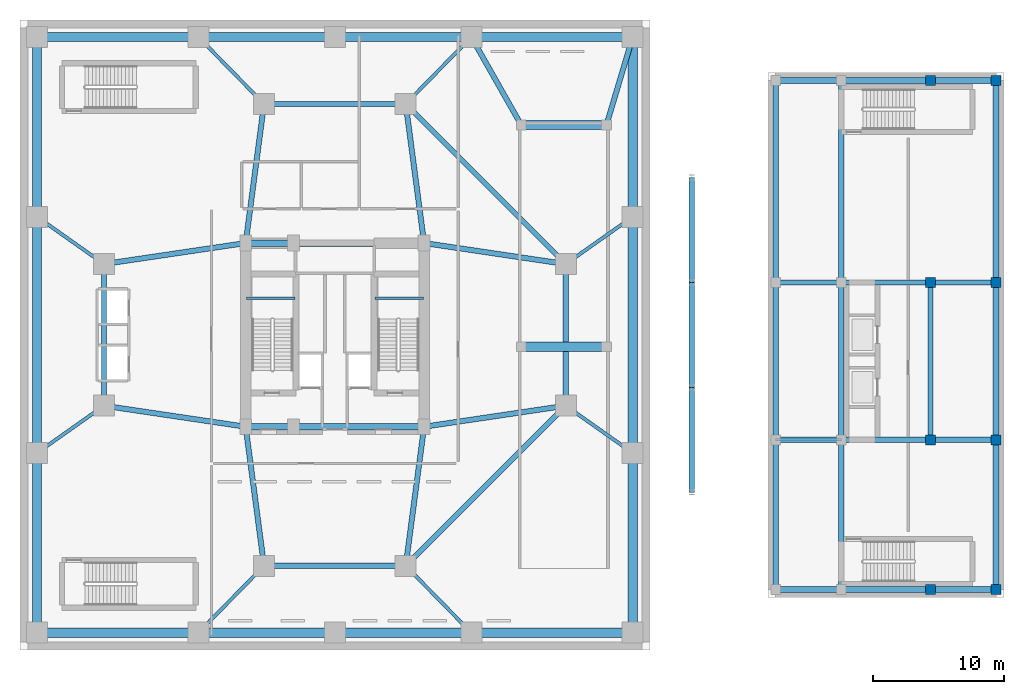
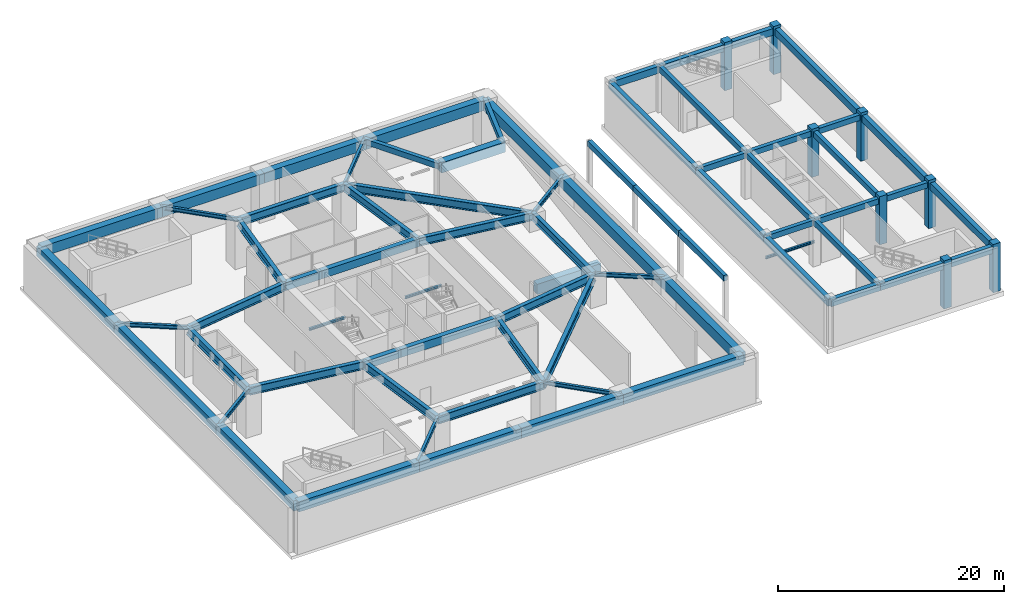
# One storey, part 3 of 13: 72 beams, 8 columns.
"""IFC4 building model written with IfcOpenShell, lengths in metres."""

from ifc_helpers import new_model, si_unit, direction, frame, origin, origin_2d, place, context, subcontext, project, spatial, rectangle, i_section, extrude, material, material_profile, profile_set, type_object, element, save


model = new_model("IFC4")

# Units and contexts
model_context = context("Model", 3, precision=1e-05, world=origin(), true_north=direction((0.0, 1.0)))
body_context = subcontext(model_context, "Body", "Model", "MODEL_VIEW")
ifc_project = project(units=[si_unit("LENGTHUNIT", "METRE"), si_unit("AREAUNIT", "SQUARE_METRE"), si_unit("VOLUMEUNIT", "CUBIC_METRE"), si_unit("PLANEANGLEUNIT", "RADIAN"), si_unit("MASSUNIT", "GRAM", prefix="KILO")], contexts=[model_context])

# Site, building, storey
site_placement = place(None, origin())
site = spatial("IfcSite", under=ifc_project, at=site_placement, CompositionType="ELEMENT")
building_placement = place(site_placement, origin())
building = spatial("IfcBuilding", under=site, at=building_placement, Name="Veraguas Prism Commons", CompositionType="ELEMENT")
storey_placement = place(building_placement, frame((0.0, 0.0, -5.199951171875)))
storey = spatial("IfcBuildingStorey", under=building, at=storey_placement, Name="B1", CompositionType="ELEMENT", Elevation=-5.199951171875)

# Columns
ifc_material_1 = material(Name="Concrete C50/60", Category="concrete")
ifc_material_profile_1 = material_profile(ifc_material_1, rectangle(XDim=0.75, YDim=0.75, at=origin_2d()), Name="RC750X750")
ifc_profile_set_1 = profile_set([ifc_material_profile_1], Name="Concrete C50/60")
column_type = type_object("IfcColumnType", Name="Column Clinic RC 750x750", PredefinedType="COLUMN", material=ifc_profile_set_1)
for number, where, z_axis, x_axis, name in (
    (1, (69.39990234375, 4.60009765625, 0.0), (0.0, 0.0, 1.0), (1.0, 0.0, 0.0), "Health Centre Column B1-HC09"),
    (2, (69.39990234375, 16.0, 0.0), (0.0, 0.0, 1.0), (1.0, 0.0, 0.0), "Health Centre Column B1-HC10"),
    (3, (69.39990234375, 28.0, 0.0), (0.0, 0.0, 1.0), (1.0, 0.0, 0.0), "Health Centre Column B1-HC11"),
    (4, (69.39990234375, 43.39990234375, 0.0), (0.0, 0.0, 1.0), (1.0, 0.0, 0.0), "Health Centre Column B1-HC12"),
    (5, (74.39990234375, 4.60009765625, 0.0), (0.0, 0.0, 1.0), (1.0, 0.0, 0.0), "Health Centre Column B1-HC13"),
    (6, (74.39990234375, 16.0, 0.0), (0.0, 0.0, 1.0), (1.0, 0.0, 0.0), "Health Centre Column B1-HC14"),
    (7, (74.39990234375, 28.0, 0.0), (0.0, 0.0, 1.0), (1.0, 0.0, 0.0), "Health Centre Column B1-HC15"),
    (8, (74.39990234375, 43.39990234375, 0.0), (0.0, 0.0, 1.0), (1.0, 0.0, 0.0), "Health Centre Column B1-HC16"),
):
    element("IfcColumn", number, at=place(storey_placement, frame(where, z_axis=z_axis, x_axis=x_axis)), inside=storey, type_object=column_type, Name=name, PredefinedType="COLUMN", context=body_context, shape_type="SweptSolid", body=[
        extrude(rectangle(XDim=0.75, YDim=0.75, at=origin_2d()), origin(), (0.0, 0.0, 1.0), 5.199951171875),
    ])

# Beams
ifc_material_profile_2 = material_profile(ifc_material_1, rectangle(XDim=0.39990234375, YDim=0.60009765625, at=origin_2d()), Name="RC400X600")
ifc_profile_set_2 = profile_set([ifc_material_profile_2], Name="Concrete C50/60")
beam_type_1 = type_object("IfcBeamType", Name="Clinic Secondary Beam RC 400x600", PredefinedType="BEAM", material=ifc_profile_set_2)
beam_1_placement = place(storey_placement, frame((38.199951171875, 40.0, 4.599853515625), z_axis=(-0.493347622228, 0.869832238792, 0.0), x_axis=(-0.869832238792, -0.493347622228, 0.0)))
element("IfcBeam", 9, at=beam_1_placement, inside=storey, type_object=beam_type_1, Name="Ramp Tie Beam West B1", PredefinedType="BEAM", context=body_context, shape_type="SweptSolid", body=[
    extrude(rectangle(XDim=0.39990234375, YDim=0.60009765625, at=origin_2d()), origin(), (0.0, 0.0, 1.0), 7.70263671875),
])
beam_2_placement = place(storey_placement, frame((44.699951171875, 40.0, 4.599853515625), z_axis=(0.286037440413, 0.958218442048, 0.0), x_axis=(-0.958218442048, 0.286037440413, 0.0)))
element("IfcBeam", 10, at=beam_2_placement, inside=storey, type_object=beam_type_1, Name="Ramp Tie Beam East B1", PredefinedType="BEAM", context=body_context, shape_type="SweptSolid", body=[
    extrude(rectangle(XDim=0.39990234375, YDim=0.60009765625, at=origin_2d()), origin(), (0.0, 0.0, 1.0), 6.9921875),
])
for number, where, z_axis, x_axis, name in (
    (11, (51.199951171875, 12.0, 4.89990234375), (0.0, 1.0, 0.0), (-1.0, 0.0, 0.0), "Substructure Tie Beam B1-CNB01"),
    (12, (51.199951171875, 20.0, 4.89990234375), (0.0, 1.0, 0.0), (-1.0, 0.0, 0.0), "Substructure Tie Beam B1-CNB02"),
    (13, (51.199951171875, 28.0, 4.89990234375), (0.0, 1.0, 0.0), (-1.0, 0.0, 0.0), "Substructure Tie Beam B1-CNB03"),
):
    element("IfcBeam", number, at=place(storey_placement, frame(where, z_axis=z_axis, x_axis=x_axis)), inside=storey, type_object=beam_type_1, Name=name, PredefinedType="BEAM", context=body_context, shape_type="SweptSolid", body=[
        extrude(rectangle(XDim=0.39990234375, YDim=0.60009765625, at=origin_2d()), origin(), (0.0, 0.0, 1.0), 8.0),
    ])
beam_3_placement = place(storey_placement, frame((57.60009765625, 16.0, 4.599853515625), z_axis=(1.0, 0.0, 0.0), x_axis=(0.0, 1.0, 0.0)))
element("IfcBeam", 14, at=beam_3_placement, inside=storey, type_object=beam_type_1, Name="Health Centre Beam B1-HCX04", PredefinedType="BEAM", context=body_context, shape_type="SweptSolid", body=[
    extrude(rectangle(XDim=0.39990234375, YDim=0.60009765625, at=origin_2d()), origin(), (0.0, 0.0, 1.0), 5.0),
])
beam_4_placement = place(storey_placement, frame((62.60009765625, 16.0, 4.599853515625), z_axis=(1.0, 0.0, 0.0), x_axis=(0.0, 1.0, 0.0)))
element("IfcBeam", 15, at=beam_4_placement, inside=storey, type_object=beam_type_1, Name="Health Centre Beam B1-HCX05", PredefinedType="BEAM", context=body_context, shape_type="SweptSolid", body=[
    extrude(rectangle(XDim=0.39990234375, YDim=0.60009765625, at=origin_2d()), origin(), (0.0, 0.0, 1.0), 6.7998046875),
])
for number, where, z_axis, x_axis, name in (
    (16, (69.39990234375, 16.0, 4.599853515625), (1.0, 0.0, 0.0), (0.0, 1.0, 0.0), "Health Centre Beam B1-HCX06"),
    (17, (57.60009765625, 28.0, 4.599853515625), (1.0, 0.0, 0.0), (0.0, 1.0, 0.0), "Health Centre Beam B1-HCX07"),
):
    element("IfcBeam", number, at=place(storey_placement, frame(where, z_axis=z_axis, x_axis=x_axis)), inside=storey, type_object=beam_type_1, Name=name, PredefinedType="BEAM", context=body_context, shape_type="SweptSolid", body=[
        extrude(rectangle(XDim=0.39990234375, YDim=0.60009765625, at=origin_2d()), origin(), (0.0, 0.0, 1.0), 5.0),
    ])
beam_5_placement = place(storey_placement, frame((62.60009765625, 28.0, 4.599853515625), z_axis=(1.0, 0.0, 0.0), x_axis=(0.0, 1.0, 0.0)))
element("IfcBeam", 18, at=beam_5_placement, inside=storey, type_object=beam_type_1, Name="Health Centre Beam B1-HCX08", PredefinedType="BEAM", context=body_context, shape_type="SweptSolid", body=[
    extrude(rectangle(XDim=0.39990234375, YDim=0.60009765625, at=origin_2d()), origin(), (0.0, 0.0, 1.0), 6.7998046875),
])
beam_6_placement = place(storey_placement, frame((69.39990234375, 28.0, 4.599853515625), z_axis=(1.0, 0.0, 0.0), x_axis=(0.0, 1.0, 0.0)))
element("IfcBeam", 19, at=beam_6_placement, inside=storey, type_object=beam_type_1, Name="Health Centre Beam B1-HCX09", PredefinedType="BEAM", context=body_context, shape_type="SweptSolid", body=[
    extrude(rectangle(XDim=0.39990234375, YDim=0.60009765625, at=origin_2d()), origin(), (0.0, 0.0, 1.0), 5.0),
])
beam_7_placement = place(storey_placement, frame((62.60009765625, 4.60009765625, 4.599853515625), z_axis=(0.0, 1.0, 0.0), x_axis=(-1.0, 0.0, 0.0)))
element("IfcBeam", 20, at=beam_7_placement, inside=storey, type_object=beam_type_1, Name="Health Centre Beam B1-HCY16", PredefinedType="BEAM", context=body_context, shape_type="SweptSolid", body=[
    extrude(rectangle(XDim=0.39990234375, YDim=0.60009765625, at=origin_2d()), origin(), (0.0, 0.0, 1.0), 11.39990234375),
])
beam_8_placement = place(storey_placement, frame((62.60009765625, 16.0, 4.599853515625), z_axis=(0.0, 1.0, 0.0), x_axis=(-1.0, 0.0, 0.0)))
element("IfcBeam", 21, at=beam_8_placement, inside=storey, type_object=beam_type_1, Name="Health Centre Beam B1-HCY17", PredefinedType="BEAM", context=body_context, shape_type="SweptSolid", body=[
    extrude(rectangle(XDim=0.39990234375, YDim=0.60009765625, at=origin_2d()), origin(), (0.0, 0.0, 1.0), 12.0),
])
beam_9_placement = place(storey_placement, frame((62.60009765625, 28.0, 4.599853515625), z_axis=(0.0, 1.0, 0.0), x_axis=(-1.0, 0.0, 0.0)))
element("IfcBeam", 22, at=beam_9_placement, inside=storey, type_object=beam_type_1, Name="Health Centre Beam B1-HCY18", PredefinedType="BEAM", context=body_context, shape_type="SweptSolid", body=[
    extrude(rectangle(XDim=0.39990234375, YDim=0.60009765625, at=origin_2d()), origin(), (0.0, 0.0, 1.0), 15.39990234375),
])
beam_10_placement = place(storey_placement, frame((69.39990234375, 16.0, 4.599853515625), z_axis=(0.0, 1.0, 0.0), x_axis=(-1.0, 0.0, 0.0)))
element("IfcBeam", 23, at=beam_10_placement, inside=storey, type_object=beam_type_1, Name="Health Centre Beam B1-HCY20", PredefinedType="BEAM", context=body_context, shape_type="SweptSolid", body=[
    extrude(rectangle(XDim=0.39990234375, YDim=0.60009765625, at=origin_2d()), origin(), (0.0, 0.0, 1.0), 12.0),
])
ifc_material_2 = material(Name="Steel ASTM A992 Grade 50", Category="steel")
ifc_material_profile_3 = material_profile(ifc_material_2, i_section(OverallWidth=0.403076171875, OverallDepth=0.867919921875, WebThickness=0.02099609375, FlangeThickness=0.03564453125, at=origin_2d()), Name="W840X359")
ifc_profile_set_3 = profile_set([ifc_material_profile_3], Name="Steel ASTM A992 Grade 50")
beam_type_2 = type_object("IfcBeamType", Name="Concourse Primary Girder W840x359", PredefinedType="BEAM", material=ifc_profile_set_3)
for number, where, z_axis, x_axis, name in (
    (24, (41.60009765625, 18.60009765625, 4.466064453125), (-0.989202261707, -0.146556765224, 0.0), (0.146556765224, -0.989202261707, 0.0), "Concourse Radial Girder B1-TMR01"),
    (25, (41.60009765625, 29.39990234375, 4.466064453125), (-0.989202261707, 0.146556765224, 0.0), (-0.146556765224, -0.989202261707, 0.0), "Concourse Radial Girder B1-TMR02"),
):
    element("IfcBeam", number, at=place(storey_placement, frame(where, z_axis=z_axis, x_axis=x_axis)), inside=storey, type_object=beam_type_2, Name=name, PredefinedType="BEAM", context=body_context, shape_type="SweptSolid", body=[
        extrude(i_section(OverallWidth=0.403076171875, OverallDepth=0.867919921875, WebThickness=0.02099609375, FlangeThickness=0.03564453125, at=origin_2d()), origin(), (0.0, 0.0, 1.0), 10.91796875),
    ])
for number, where, z_axis, x_axis, name in (
    (26, (29.39990234375, 41.60009765625, 4.466064453125), (0.130950648891, -0.991388888154, 0.0), (0.991388888154, 0.130950648891, 0.0), "Concourse Radial Girder B1-TMR03"),
    (27, (18.60009765625, 41.60009765625, 4.466064453125), (-0.130950648891, -0.991388888154, 0.0), (0.991388888154, -0.130950648891, 0.0), "Concourse Radial Girder B1-TMR04"),
):
    element("IfcBeam", number, at=place(storey_placement, frame(where, z_axis=z_axis, x_axis=x_axis)), inside=storey, type_object=beam_type_2, Name=name, PredefinedType="BEAM", context=body_context, shape_type="SweptSolid", body=[
        extrude(i_section(OverallWidth=0.403076171875, OverallDepth=0.867919921875, WebThickness=0.02099609375, FlangeThickness=0.03564453125, at=origin_2d()), origin(), (0.0, 0.0, 1.0), 10.692138671875),
    ])
for number, where, z_axis, x_axis, name in (
    (28, (6.39990234375, 29.39990234375, 4.466064453125), (0.989202261707, 0.146556765224, 0.0), (-0.146556765224, 0.989202261707, 0.0), "Concourse Radial Girder B1-TMR05"),
    (29, (6.39990234375, 18.60009765625, 4.466064453125), (0.989202261707, -0.146556765224, 0.0), (0.146556765224, 0.989202261707, 0.0), "Concourse Radial Girder B1-TMR06"),
):
    element("IfcBeam", number, at=place(storey_placement, frame(where, z_axis=z_axis, x_axis=x_axis)), inside=storey, type_object=beam_type_2, Name=name, PredefinedType="BEAM", context=body_context, shape_type="SweptSolid", body=[
        extrude(i_section(OverallWidth=0.403076171875, OverallDepth=0.867919921875, WebThickness=0.02099609375, FlangeThickness=0.03564453125, at=origin_2d()), origin(), (0.0, 0.0, 1.0), 10.91796875),
    ])
for number, where, z_axis, x_axis, name in (
    (30, (18.60009765625, 6.39990234375, 4.466064453125), (-0.130950648891, 0.991388888154, 0.0), (-0.991388888154, -0.130950648891, 0.0), "Concourse Radial Girder B1-TMR07"),
    (31, (29.39990234375, 6.39990234375, 4.466064453125), (0.130950648891, 0.991388888154, 0.0), (-0.991388888154, 0.130950648891, 0.0), "Concourse Radial Girder B1-TMR08"),
):
    element("IfcBeam", number, at=place(storey_placement, frame(where, z_axis=z_axis, x_axis=x_axis)), inside=storey, type_object=beam_type_2, Name=name, PredefinedType="BEAM", context=body_context, shape_type="SweptSolid", body=[
        extrude(i_section(OverallWidth=0.403076171875, OverallDepth=0.867919921875, WebThickness=0.02099609375, FlangeThickness=0.03564453125, at=origin_2d()), origin(), (0.0, 0.0, 1.0), 10.692138671875),
    ])
beam_11_placement = place(storey_placement, frame((41.60009765625, 18.60009765625, 4.466064453125), z_axis=(0.0, 1.0, 0.0), x_axis=(-1.0, 0.0, 0.0)))
element("IfcBeam", 32, at=beam_11_placement, inside=storey, type_object=beam_type_2, Name="Concourse Ring Girder B1-TMH01", PredefinedType="BEAM", context=body_context, shape_type="SweptSolid", body=[
    extrude(i_section(OverallWidth=0.403076171875, OverallDepth=0.867919921875, WebThickness=0.02099609375, FlangeThickness=0.03564453125, at=origin_2d()), origin(), (0.0, 0.0, 1.0), 10.7998046875),
])
beam_12_placement = place(storey_placement, frame((41.60009765625, 29.39990234375, 4.466064453125), z_axis=(-0.707106781187, 0.707106781187, 0.0), x_axis=(-0.707106781187, -0.707106781187, 0.0)))
element("IfcBeam", 33, at=beam_12_placement, inside=storey, type_object=beam_type_2, Name="Concourse Ring Girder B1-TMH02", PredefinedType="BEAM", context=body_context, shape_type="SweptSolid", body=[
    extrude(i_section(OverallWidth=0.403076171875, OverallDepth=0.867919921875, WebThickness=0.02099609375, FlangeThickness=0.03564453125, at=origin_2d()), origin(), (0.0, 0.0, 1.0), 17.253662109375),
])
for number, where, z_axis, x_axis, name in (
    (34, (29.39990234375, 41.60009765625, 4.466064453125), (-1.0, 0.0, 0.0), (0.0, -1.0, 0.0), "Concourse Ring Girder B1-TMH03"),
    (35, (6.39990234375, 29.39990234375, 4.466064453125), (0.0, -1.0, 0.0), (1.0, 0.0, 0.0), "Concourse Ring Girder B1-TMH05"),
    (36, (18.60009765625, 6.39990234375, 4.466064453125), (1.0, 0.0, 0.0), (0.0, 1.0, 0.0), "Concourse Ring Girder B1-TMH07"),
):
    element("IfcBeam", number, at=place(storey_placement, frame(where, z_axis=z_axis, x_axis=x_axis)), inside=storey, type_object=beam_type_2, Name=name, PredefinedType="BEAM", context=body_context, shape_type="SweptSolid", body=[
        extrude(i_section(OverallWidth=0.403076171875, OverallDepth=0.867919921875, WebThickness=0.02099609375, FlangeThickness=0.03564453125, at=origin_2d()), origin(), (0.0, 0.0, 1.0), 10.7998046875),
    ])
beam_13_placement = place(storey_placement, frame((29.39990234375, 6.39990234375, 4.466064453125), z_axis=(0.707106781187, 0.707106781187, 0.0), x_axis=(-0.707106781187, 0.707106781187, 0.0)))
element("IfcBeam", 37, at=beam_13_placement, inside=storey, type_object=beam_type_2, Name="Concourse Ring Girder B1-TMH08", PredefinedType="BEAM", context=body_context, shape_type="SweptSolid", body=[
    extrude(i_section(OverallWidth=0.403076171875, OverallDepth=0.867919921875, WebThickness=0.02099609375, FlangeThickness=0.03564453125, at=origin_2d()), origin(), (0.0, 0.0, 1.0), 17.253662109375),
])
ifc_material_profile_4 = material_profile(ifc_material_1, rectangle(XDim=0.5, YDim=0.85009765625, at=origin_2d()), Name="RC500X850")
ifc_profile_set_4 = profile_set([ifc_material_profile_4], Name="Concrete C50/60")
beam_type_3 = type_object("IfcBeamType", Name="Core Coupling Beam RC 500x850", PredefinedType="BEAM", material=ifc_profile_set_4)
beam_14_placement = place(storey_placement, frame((17.199951171875, 17.0, 4.474853515625), z_axis=(1.0, 0.0, 0.0), x_axis=(0.0, 1.0, 0.0)))
element("IfcBeam", 38, at=beam_14_placement, inside=storey, type_object=beam_type_3, Name="Core Coupling Beam B1-CRS1", PredefinedType="BEAM", context=body_context, shape_type="SweptSolid", body=[
    extrude(rectangle(XDim=0.5, YDim=0.85009765625, at=origin_2d()), origin(), (0.0, 0.0, 1.0), 3.650146484375),
])
beam_15_placement = place(storey_placement, frame((20.85009765625, 17.0, 4.474853515625), z_axis=(1.0, 0.0, 0.0), x_axis=(0.0, 1.0, 0.0)))
element("IfcBeam", 39, at=beam_15_placement, inside=storey, type_object=beam_type_3, Name="Core Coupling Beam B1-CRS2", PredefinedType="BEAM", context=body_context, shape_type="SweptSolid", body=[
    extrude(rectangle(XDim=0.5, YDim=0.85009765625, at=origin_2d()), origin(), (0.0, 0.0, 1.0), 9.949951171875),
])
beam_16_placement = place(storey_placement, frame((17.199951171875, 31.0, 4.474853515625), z_axis=(1.0, 0.0, 0.0), x_axis=(0.0, 1.0, 0.0)))
element("IfcBeam", 40, at=beam_16_placement, inside=storey, type_object=beam_type_3, Name="Core Coupling Beam B1-CRN1", PredefinedType="BEAM", context=body_context, shape_type="SweptSolid", body=[
    extrude(rectangle(XDim=0.5, YDim=0.85009765625, at=origin_2d()), origin(), (0.0, 0.0, 1.0), 3.650146484375),
])
beam_17_placement = place(storey_placement, frame((20.85009765625, 31.0, 4.474853515625), z_axis=(1.0, 0.0, 0.0), x_axis=(0.0, 1.0, 0.0)))
element("IfcBeam", 41, at=beam_17_placement, inside=storey, type_object=beam_type_3, Name="Core Coupling Beam B1-CRN2", PredefinedType="BEAM", context=body_context, shape_type="SweptSolid", body=[
    extrude(rectangle(XDim=0.5, YDim=0.85009765625, at=origin_2d()), origin(), (0.0, 0.0, 1.0), 9.949951171875),
])
ifc_material_profile_5 = material_profile(ifc_material_2, i_section(OverallWidth=0.260986328125, OverallDepth=0.419921875, WebThickness=0.01171875, FlangeThickness=0.019287109375, at=origin_2d()), Name="W410X114")
ifc_profile_set_5 = profile_set([ifc_material_profile_5], Name="Steel ASTM A992 Grade 50")
beam_type_4 = type_object("IfcBeamType", Name="Lower Floor Joist W410x114", PredefinedType="JOIST", material=ifc_profile_set_5)
for number, where, z_axis, x_axis, name in (
    (42, (41.60009765625, 18.60009765625, 4.68994140625), (0.816952688962, -0.576704693927, 0.0), (0.576704693927, 0.816952688962, 0.0), "Podium Tie Beam B1-TMT01"),
    (43, (41.60009765625, 29.39990234375, 4.68994140625), (0.816952688962, 0.576704693927, 0.0), (-0.576704693927, 0.816952688962, 0.0), "Podium Tie Beam B1-TMT02"),
):
    element("IfcBeam", number, at=place(storey_placement, frame(where, z_axis=z_axis, x_axis=x_axis)), inside=storey, type_object=beam_type_4, Name=name, PredefinedType="JOIST", context=body_context, shape_type="SweptSolid", body=[
        extrude(i_section(OverallWidth=0.260986328125, OverallDepth=0.419921875, WebThickness=0.01171875, FlangeThickness=0.019287109375, at=origin_2d()), origin(), (0.0, 0.0, 1.0), 6.242431640625),
    ])
for number, where, z_axis, x_axis, name in (
    (44, (29.39990234375, 41.60009765625, 4.68994140625), (0.700081663946, 0.71406278702, 0.0), (-0.71406278702, 0.700081663946, 0.0), "Podium Tie Beam B1-TMT03"),
    (45, (18.60009765625, 41.60009765625, 4.68994140625), (-0.700081663946, 0.71406278702, 0.0), (-0.71406278702, -0.700081663946, 0.0), "Podium Tie Beam B1-TMT04"),
):
    element("IfcBeam", number, at=place(storey_placement, frame(where, z_axis=z_axis, x_axis=x_axis)), inside=storey, type_object=beam_type_4, Name=name, PredefinedType="JOIST", context=body_context, shape_type="SweptSolid", body=[
        extrude(i_section(OverallWidth=0.260986328125, OverallDepth=0.419921875, WebThickness=0.01171875, FlangeThickness=0.019287109375, at=origin_2d()), origin(), (0.0, 0.0, 1.0), 7.14208984375),
    ])
for number, where, z_axis, x_axis, name in (
    (46, (6.39990234375, 29.39990234375, 4.68994140625), (-0.816952688962, 0.576704693927, 0.0), (-0.576704693927, -0.816952688962, 0.0), "Podium Tie Beam B1-TMT05"),
    (47, (6.39990234375, 18.60009765625, 4.68994140625), (-0.816952688962, -0.576704693927, 0.0), (0.576704693927, -0.816952688962, 0.0), "Podium Tie Beam B1-TMT06"),
):
    element("IfcBeam", number, at=place(storey_placement, frame(where, z_axis=z_axis, x_axis=x_axis)), inside=storey, type_object=beam_type_4, Name=name, PredefinedType="JOIST", context=body_context, shape_type="SweptSolid", body=[
        extrude(i_section(OverallWidth=0.260986328125, OverallDepth=0.419921875, WebThickness=0.01171875, FlangeThickness=0.019287109375, at=origin_2d()), origin(), (0.0, 0.0, 1.0), 6.242431640625),
    ])
for number, where, z_axis, x_axis, name in (
    (48, (18.60009765625, 6.39990234375, 4.68994140625), (-0.700081663946, -0.71406278702, 0.0), (0.71406278702, -0.700081663946, 0.0), "Podium Tie Beam B1-TMT07"),
    (49, (29.39990234375, 6.39990234375, 4.68994140625), (0.700081663946, -0.71406278702, 0.0), (0.71406278702, 0.700081663946, 0.0), "Podium Tie Beam B1-TMT08"),
):
    element("IfcBeam", number, at=place(storey_placement, frame(where, z_axis=z_axis, x_axis=x_axis)), inside=storey, type_object=beam_type_4, Name=name, PredefinedType="JOIST", context=body_context, shape_type="SweptSolid", body=[
        extrude(i_section(OverallWidth=0.260986328125, OverallDepth=0.419921875, WebThickness=0.01171875, FlangeThickness=0.019287109375, at=origin_2d()), origin(), (0.0, 0.0, 1.0), 7.14208984375),
    ])
ifc_material_profile_6 = material_profile(ifc_material_1, rectangle(XDim=0.449951171875, YDim=0.75, at=origin_2d()), Name="RC450X750")
ifc_profile_set_6 = profile_set([ifc_material_profile_6], Name="Concrete C50/60")
beam_type_5 = type_object("IfcBeamType", Name="Perimeter Spandrel Upper RC 450x750", PredefinedType="SPANDREL", material=ifc_profile_set_6)
beam_18_placement = place(storey_placement, frame((57.60009765625, 4.60009765625, 4.52490234375), z_axis=(1.0, 0.0, 0.0), x_axis=(0.0, 1.0, 0.0)))
element("IfcBeam", 50, at=beam_18_placement, inside=storey, type_object=beam_type_5, Name="Health Centre Beam B1-HCX01", PredefinedType="SPANDREL", context=body_context, shape_type="SweptSolid", body=[
    extrude(rectangle(XDim=0.449951171875, YDim=0.75, at=origin_2d()), origin(), (0.0, 0.0, 1.0), 5.0),
])
beam_19_placement = place(storey_placement, frame((62.60009765625, 4.60009765625, 4.52490234375), z_axis=(1.0, 0.0, 0.0), x_axis=(0.0, 1.0, 0.0)))
element("IfcBeam", 51, at=beam_19_placement, inside=storey, type_object=beam_type_5, Name="Health Centre Beam B1-HCX02", PredefinedType="SPANDREL", context=body_context, shape_type="SweptSolid", body=[
    extrude(rectangle(XDim=0.449951171875, YDim=0.75, at=origin_2d()), origin(), (0.0, 0.0, 1.0), 6.7998046875),
])
for number, where, z_axis, x_axis, name in (
    (52, (69.39990234375, 4.60009765625, 4.52490234375), (1.0, 0.0, 0.0), (0.0, 1.0, 0.0), "Health Centre Beam B1-HCX03"),
    (53, (57.60009765625, 43.39990234375, 4.52490234375), (1.0, 0.0, 0.0), (0.0, 1.0, 0.0), "Health Centre Beam B1-HCX10"),
):
    element("IfcBeam", number, at=place(storey_placement, frame(where, z_axis=z_axis, x_axis=x_axis)), inside=storey, type_object=beam_type_5, Name=name, PredefinedType="SPANDREL", context=body_context, shape_type="SweptSolid", body=[
        extrude(rectangle(XDim=0.449951171875, YDim=0.75, at=origin_2d()), origin(), (0.0, 0.0, 1.0), 5.0),
    ])
beam_20_placement = place(storey_placement, frame((62.60009765625, 43.39990234375, 4.52490234375), z_axis=(1.0, 0.0, 0.0), x_axis=(0.0, 1.0, 0.0)))
element("IfcBeam", 54, at=beam_20_placement, inside=storey, type_object=beam_type_5, Name="Health Centre Beam B1-HCX11", PredefinedType="SPANDREL", context=body_context, shape_type="SweptSolid", body=[
    extrude(rectangle(XDim=0.449951171875, YDim=0.75, at=origin_2d()), origin(), (0.0, 0.0, 1.0), 6.7998046875),
])
beam_21_placement = place(storey_placement, frame((69.39990234375, 43.39990234375, 4.52490234375), z_axis=(1.0, 0.0, 0.0), x_axis=(0.0, 1.0, 0.0)))
element("IfcBeam", 55, at=beam_21_placement, inside=storey, type_object=beam_type_5, Name="Health Centre Beam B1-HCX12", PredefinedType="SPANDREL", context=body_context, shape_type="SweptSolid", body=[
    extrude(rectangle(XDim=0.449951171875, YDim=0.75, at=origin_2d()), origin(), (0.0, 0.0, 1.0), 5.0),
])
beam_22_placement = place(storey_placement, frame((57.60009765625, 4.60009765625, 4.52490234375), z_axis=(0.0, 1.0, 0.0), x_axis=(-1.0, 0.0, 0.0)))
element("IfcBeam", 56, at=beam_22_placement, inside=storey, type_object=beam_type_5, Name="Health Centre Beam B1-HCY13", PredefinedType="SPANDREL", context=body_context, shape_type="SweptSolid", body=[
    extrude(rectangle(XDim=0.449951171875, YDim=0.75, at=origin_2d()), origin(), (0.0, 0.0, 1.0), 11.39990234375),
])
beam_23_placement = place(storey_placement, frame((57.60009765625, 16.0, 4.52490234375), z_axis=(0.0, 1.0, 0.0), x_axis=(-1.0, 0.0, 0.0)))
element("IfcBeam", 57, at=beam_23_placement, inside=storey, type_object=beam_type_5, Name="Health Centre Beam B1-HCY14", PredefinedType="SPANDREL", context=body_context, shape_type="SweptSolid", body=[
    extrude(rectangle(XDim=0.449951171875, YDim=0.75, at=origin_2d()), origin(), (0.0, 0.0, 1.0), 12.0),
])
beam_24_placement = place(storey_placement, frame((57.60009765625, 28.0, 4.52490234375), z_axis=(0.0, 1.0, 0.0), x_axis=(-1.0, 0.0, 0.0)))
element("IfcBeam", 58, at=beam_24_placement, inside=storey, type_object=beam_type_5, Name="Health Centre Beam B1-HCY15", PredefinedType="SPANDREL", context=body_context, shape_type="SweptSolid", body=[
    extrude(rectangle(XDim=0.449951171875, YDim=0.75, at=origin_2d()), origin(), (0.0, 0.0, 1.0), 15.39990234375),
])
beam_25_placement = place(storey_placement, frame((74.39990234375, 4.60009765625, 4.52490234375), z_axis=(0.0, 1.0, 0.0), x_axis=(-1.0, 0.0, 0.0)))
element("IfcBeam", 59, at=beam_25_placement, inside=storey, type_object=beam_type_5, Name="Health Centre Beam B1-HCY22", PredefinedType="SPANDREL", context=body_context, shape_type="SweptSolid", body=[
    extrude(rectangle(XDim=0.449951171875, YDim=0.75, at=origin_2d()), origin(), (0.0, 0.0, 1.0), 11.39990234375),
])
beam_26_placement = place(storey_placement, frame((74.39990234375, 16.0, 4.52490234375), z_axis=(0.0, 1.0, 0.0), x_axis=(-1.0, 0.0, 0.0)))
element("IfcBeam", 60, at=beam_26_placement, inside=storey, type_object=beam_type_5, Name="Health Centre Beam B1-HCY23", PredefinedType="SPANDREL", context=body_context, shape_type="SweptSolid", body=[
    extrude(rectangle(XDim=0.449951171875, YDim=0.75, at=origin_2d()), origin(), (0.0, 0.0, 1.0), 12.0),
])
beam_27_placement = place(storey_placement, frame((74.39990234375, 28.0, 4.52490234375), z_axis=(0.0, 1.0, 0.0), x_axis=(-1.0, 0.0, 0.0)))
element("IfcBeam", 61, at=beam_27_placement, inside=storey, type_object=beam_type_5, Name="Health Centre Beam B1-HCY24", PredefinedType="SPANDREL", context=body_context, shape_type="SweptSolid", body=[
    extrude(rectangle(XDim=0.449951171875, YDim=0.75, at=origin_2d()), origin(), (0.0, 0.0, 1.0), 15.39990234375),
])
ifc_material_profile_7 = material_profile(ifc_material_1, rectangle(XDim=0.699951171875, YDim=1.10009765625, at=origin_2d()), Name="RC700X1100")
ifc_profile_set_7 = profile_set([ifc_material_profile_7], Name="Concrete C50/60")
beam_type_6 = type_object("IfcBeamType", Name="Podium Primary Girder RC 700x1100", PredefinedType="BEAM", material=ifc_profile_set_7)
beam_28_placement = place(storey_placement, frame((1.300048828125, 1.300048828125, 4.349853515625), z_axis=(1.0, 0.0, 0.0), x_axis=(0.0, 1.0, 0.0)))
element("IfcBeam", 62, at=beam_28_placement, inside=storey, type_object=beam_type_6, Name="Podium Perimeter Girder B1-PDR01", PredefinedType="BEAM", context=body_context, shape_type="SweptSolid", body=[
    extrude(rectangle(XDim=0.699951171875, YDim=1.10009765625, at=origin_2d()), origin(), (0.0, 0.0, 1.0), 12.300048828125),
])
for number, where, z_axis, x_axis, name in (
    (63, (13.60009765625, 1.300048828125, 4.349853515625), (1.0, 0.0, 0.0), (0.0, 1.0, 0.0), "Podium Perimeter Girder B1-PDR02"),
    (64, (24.0, 1.300048828125, 4.349853515625), (1.0, 0.0, 0.0), (0.0, 1.0, 0.0), "Podium Perimeter Girder B1-PDR03"),
):
    element("IfcBeam", number, at=place(storey_placement, frame(where, z_axis=z_axis, x_axis=x_axis)), inside=storey, type_object=beam_type_6, Name=name, PredefinedType="BEAM", context=body_context, shape_type="SweptSolid", body=[
        extrude(rectangle(XDim=0.699951171875, YDim=1.10009765625, at=origin_2d()), origin(), (0.0, 0.0, 1.0), 10.39990234375),
    ])
beam_29_placement = place(storey_placement, frame((34.39990234375, 1.300048828125, 4.349853515625), z_axis=(1.0, 0.0, 0.0), x_axis=(0.0, 1.0, 0.0)))
element("IfcBeam", 65, at=beam_29_placement, inside=storey, type_object=beam_type_6, Name="Podium Perimeter Girder B1-PDR04", PredefinedType="BEAM", context=body_context, shape_type="SweptSolid", body=[
    extrude(rectangle(XDim=0.699951171875, YDim=1.10009765625, at=origin_2d()), origin(), (0.0, 0.0, 1.0), 12.300048828125),
])
beam_30_placement = place(storey_placement, frame((46.699951171875, 1.300048828125, 4.349853515625), z_axis=(0.0, 1.0, 0.0), x_axis=(-1.0, 0.0, 0.0)))
element("IfcBeam", 66, at=beam_30_placement, inside=storey, type_object=beam_type_6, Name="Podium Perimeter Girder B1-PDR05", PredefinedType="BEAM", context=body_context, shape_type="SweptSolid", body=[
    extrude(rectangle(XDim=0.699951171875, YDim=1.10009765625, at=origin_2d()), origin(), (0.0, 0.0, 1.0), 13.699951171875),
])
beam_31_placement = place(storey_placement, frame((46.699951171875, 15.0, 4.349853515625), z_axis=(0.0, 1.0, 0.0), x_axis=(-1.0, 0.0, 0.0)))
element("IfcBeam", 67, at=beam_31_placement, inside=storey, type_object=beam_type_6, Name="Podium Perimeter Girder B1-PDR06", PredefinedType="BEAM", context=body_context, shape_type="SweptSolid", body=[
    extrude(rectangle(XDim=0.699951171875, YDim=1.10009765625, at=origin_2d()), origin(), (0.0, 0.0, 1.0), 18.0),
])
beam_32_placement = place(storey_placement, frame((46.699951171875, 33.0, 4.349853515625), z_axis=(0.0, 1.0, 0.0), x_axis=(-1.0, 0.0, 0.0)))
element("IfcBeam", 68, at=beam_32_placement, inside=storey, type_object=beam_type_6, Name="Podium Perimeter Girder B1-PDR07", PredefinedType="BEAM", context=body_context, shape_type="SweptSolid", body=[
    extrude(rectangle(XDim=0.699951171875, YDim=1.10009765625, at=origin_2d()), origin(), (0.0, 0.0, 1.0), 13.699951171875),
])
beam_33_placement = place(storey_placement, frame((46.699951171875, 46.699951171875, 4.349853515625), z_axis=(-1.0, 0.0, 0.0), x_axis=(0.0, -1.0, 0.0)))
element("IfcBeam", 69, at=beam_33_placement, inside=storey, type_object=beam_type_6, Name="Podium Perimeter Girder B1-PDR08", PredefinedType="BEAM", context=body_context, shape_type="SweptSolid", body=[
    extrude(rectangle(XDim=0.699951171875, YDim=1.10009765625, at=origin_2d()), origin(), (0.0, 0.0, 1.0), 12.300048828125),
])
for number, where, z_axis, x_axis, name in (
    (70, (34.39990234375, 46.699951171875, 4.349853515625), (-1.0, 0.0, 0.0), (0.0, -1.0, 0.0), "Podium Perimeter Girder B1-PDR09"),
    (71, (24.0, 46.699951171875, 4.349853515625), (-1.0, 0.0, 0.0), (0.0, -1.0, 0.0), "Podium Perimeter Girder B1-PDR10"),
):
    element("IfcBeam", number, at=place(storey_placement, frame(where, z_axis=z_axis, x_axis=x_axis)), inside=storey, type_object=beam_type_6, Name=name, PredefinedType="BEAM", context=body_context, shape_type="SweptSolid", body=[
        extrude(rectangle(XDim=0.699951171875, YDim=1.10009765625, at=origin_2d()), origin(), (0.0, 0.0, 1.0), 10.39990234375),
    ])
beam_34_placement = place(storey_placement, frame((13.60009765625, 46.699951171875, 4.349853515625), z_axis=(-1.0, 0.0, 0.0), x_axis=(0.0, -1.0, 0.0)))
element("IfcBeam", 72, at=beam_34_placement, inside=storey, type_object=beam_type_6, Name="Podium Perimeter Girder B1-PDR11", PredefinedType="BEAM", context=body_context, shape_type="SweptSolid", body=[
    extrude(rectangle(XDim=0.699951171875, YDim=1.10009765625, at=origin_2d()), origin(), (0.0, 0.0, 1.0), 12.300048828125),
])
beam_35_placement = place(storey_placement, frame((1.300048828125, 46.699951171875, 4.349853515625), z_axis=(0.0, -1.0, 0.0), x_axis=(1.0, 0.0, 0.0)))
element("IfcBeam", 73, at=beam_35_placement, inside=storey, type_object=beam_type_6, Name="Podium Perimeter Girder B1-PDR12", PredefinedType="BEAM", context=body_context, shape_type="SweptSolid", body=[
    extrude(rectangle(XDim=0.699951171875, YDim=1.10009765625, at=origin_2d()), origin(), (0.0, 0.0, 1.0), 13.699951171875),
])
beam_36_placement = place(storey_placement, frame((1.300048828125, 33.0, 4.349853515625), z_axis=(0.0, -1.0, 0.0), x_axis=(1.0, 0.0, 0.0)))
element("IfcBeam", 74, at=beam_36_placement, inside=storey, type_object=beam_type_6, Name="Podium Perimeter Girder B1-PDR13", PredefinedType="BEAM", context=body_context, shape_type="SweptSolid", body=[
    extrude(rectangle(XDim=0.699951171875, YDim=1.10009765625, at=origin_2d()), origin(), (0.0, 0.0, 1.0), 18.0),
])
beam_37_placement = place(storey_placement, frame((1.300048828125, 15.0, 4.349853515625), z_axis=(0.0, -1.0, 0.0), x_axis=(1.0, 0.0, 0.0)))
element("IfcBeam", 75, at=beam_37_placement, inside=storey, type_object=beam_type_6, Name="Podium Perimeter Girder B1-PDR14", PredefinedType="BEAM", context=body_context, shape_type="SweptSolid", body=[
    extrude(rectangle(XDim=0.699951171875, YDim=1.10009765625, at=origin_2d()), origin(), (0.0, 0.0, 1.0), 13.699951171875),
])
for number, where, z_axis, x_axis, name in (
    (76, (38.199951171875, 23.10009765625, 1.669921875), (1.0, 0.0, 0.0), (0.0, 1.0, 0.0), "Vehicle Ramp Mid-Span Support Girder B1"),
    (77, (38.199951171875, 40.0, 4.530029296875), (1.0, 0.0, 0.0), (0.0, 1.0, 0.0), "Vehicle Ramp Landing Trimmer Beam B1"),
):
    element("IfcBeam", number, at=place(storey_placement, frame(where, z_axis=z_axis, x_axis=x_axis)), inside=storey, type_object=beam_type_6, Name=name, PredefinedType="BEAM", context=body_context, shape_type="SweptSolid", body=[
        extrude(rectangle(XDim=0.699951171875, YDim=1.10009765625, at=origin_2d()), origin(), (0.0, 0.0, 1.0), 6.5),
    ])
ifc_material_profile_8 = material_profile(ifc_material_2, i_section(OverallWidth=0.202880859375, OverallDepth=0.251953125, WebThickness=0.008056640625, FlangeThickness=0.013427734375, at=origin_2d()), Name="W250X58")
ifc_profile_set_8 = profile_set([ifc_material_profile_8], Name="Steel ASTM A992 Grade 50")
beam_type_7 = type_object("IfcBeamType", Name="Structural Opening Lintel W250x58", PredefinedType="LINTEL", material=ifc_profile_set_8)
for number, where, z_axis, x_axis, name in (
    (78, (17.25, 26.800048828125, 2.27392578125), (1.0, 0.0, 0.0), (0.0, 1.0, 0.0), "Stair ST-01 Half-Landing Support Beam B1-1"),
    (79, (27.050048828125, 26.800048828125, 2.27392578125), (1.0, 0.0, 0.0), (0.0, 1.0, 0.0), "Stair ST-02 Half-Landing Support Beam B1-1"),
):
    element("IfcBeam", number, at=place(storey_placement, frame(where, z_axis=z_axis, x_axis=x_axis)), inside=storey, type_object=beam_type_7, Name=name, PredefinedType="LINTEL", context=body_context, shape_type="SweptSolid", body=[
        extrude(i_section(OverallWidth=0.202880859375, OverallDepth=0.251953125, WebThickness=0.008056640625, FlangeThickness=0.013427734375, at=origin_2d()), origin(), (0.0, 0.0, 1.0), 3.699951171875),
    ])
beam_38_placement = place(storey_placement, frame((57.60009765625, 16.0, 2.424072265625), z_axis=(1.0, 0.0, 0.0), x_axis=(0.0, 1.0, 0.0)))
element("IfcBeam", 80, at=beam_38_placement, inside=storey, type_object=beam_type_7, Name="Clinic Opening Lintel Beam B1-LN01", PredefinedType="LINTEL", context=body_context, shape_type="SweptSolid", body=[
    extrude(i_section(OverallWidth=0.202880859375, OverallDepth=0.251953125, WebThickness=0.008056640625, FlangeThickness=0.013427734375, at=origin_2d()), origin(), (0.0, 0.0, 1.0), 5.0),
])

save(model, "model.ifc")
